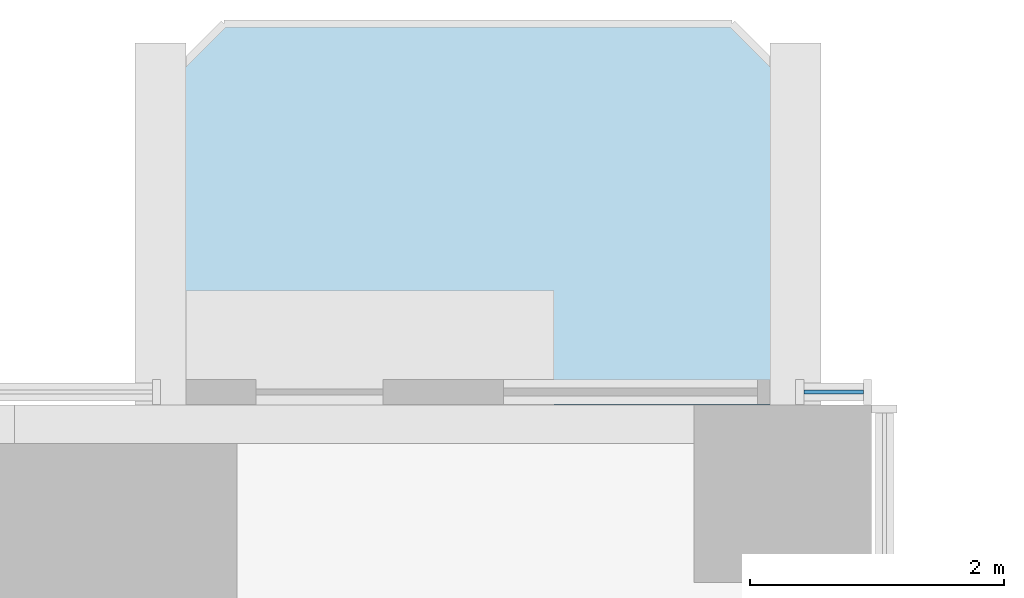
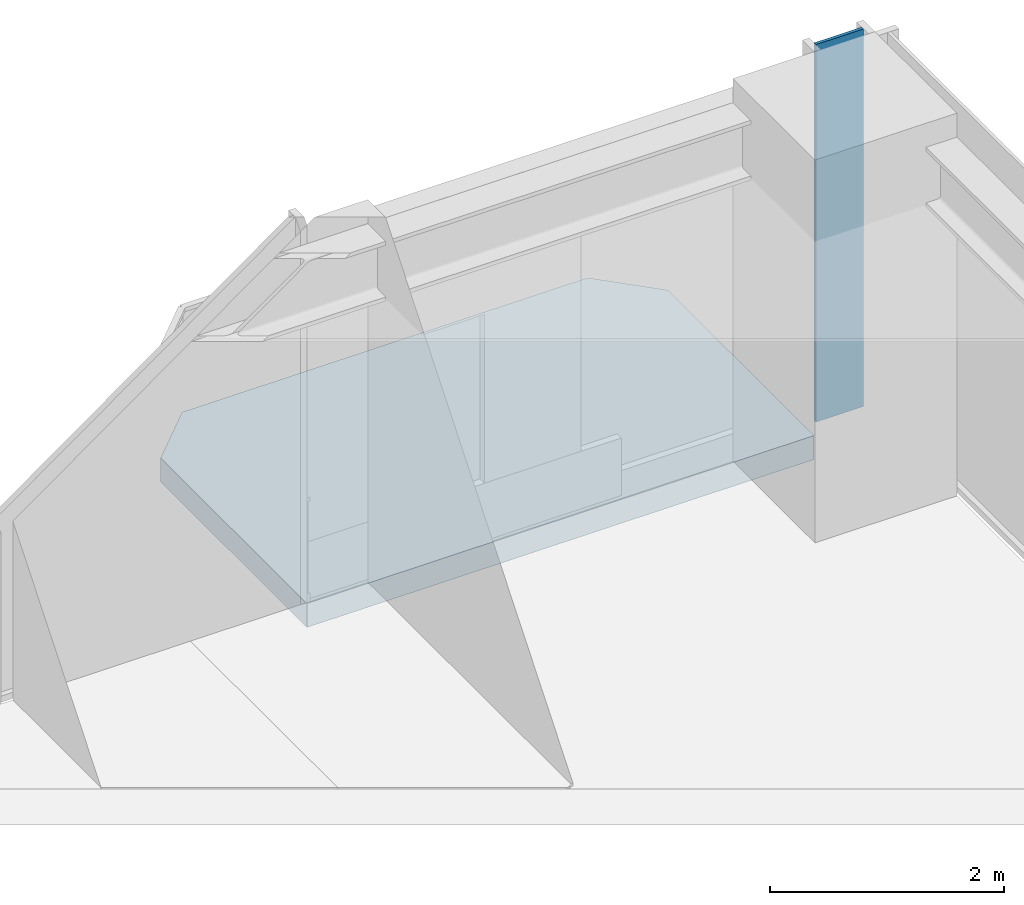
# One storey, part 10 of 18: 1 plate, 1 slab, 1 element without a shape of its own.
"""IFC4 building model written with IfcOpenShell, lengths in metres."""

import ifcopenshell
import ifcopenshell.guid

model = None  # the IFC model being written
_history = None  # IfcOwnerHistory: only IFC2X3 demands one
_inside = {}  # id of a spatial element -> (the spatial element, [elements in it])
_under = {}  # id of a project, library or spatial element -> (it, [spatial elements below it])
_declared = {}  # id of a project -> (the project, [libraries it declares])
_typed = {}  # id of a type object -> (the type object, [elements of that type])
_made_of = {}  # id of a material, layer set ... -> (it, [elements and type objects made of it])


def new_model(schema):
    """Start an empty IFC model of exactly this schema.

    Asked for "IFC4X3", IfcOpenShell would pick the latest addendum, in which some entities
    have other attributes; the version numbers below select the first issue.
    IFC2X3 requires an IfcOwnerHistory on every rooted entity: one is made here for all.
    """
    global model, _history
    if schema == "IFC4X3":
        model = ifcopenshell.file(schema_version=(4, 3, 0, 0))
    else:
        model = ifcopenshell.file(schema=schema)
    _inside.clear()
    _under.clear()
    _declared.clear()
    _typed.clear()
    _made_of.clear()
    _history = None
    if model.schema == "IFC2X3":
        org = make("IfcOrganization", Name="unknown")
        user = make(
            "IfcPersonAndOrganization",
            ThePerson=make("IfcPerson", FamilyName="unknown"),
            TheOrganization=org,
        )
        app = make(
            "IfcApplication",
            ApplicationDeveloper=org,
            Version="unknown",
            ApplicationFullName="unknown",
            ApplicationIdentifier="unknown",
        )
        _history = make(
            "IfcOwnerHistory",
            OwningUser=user,
            OwningApplication=app,
            ChangeAction="ADDED",
            CreationDate=0,
        )
    return model


def make(cls, **values):
    """One entity of the class cls with the attributes given. An attribute that is None is left unset."""
    return model.create_entity(
        cls, **{name: value for name, value in values.items() if value is not None}
    )


def rooted(cls, **values):
    """An entity with a GlobalId (a new one), such as an element, a storey or a relation."""
    return make(cls, GlobalId=ifcopenshell.guid.new(), OwnerHistory=_history, **values)


def si_unit(unit_type, name, prefix=None):
    """IfcSIUnit, for example si_unit("LENGTHUNIT", "METRE", prefix="MILLI")."""
    return make("IfcSIUnit", UnitType=unit_type, Prefix=prefix, Name=name)


def assignment(units):
    """IfcUnitAssignment: the units of a project."""
    return None if units is None else make("IfcUnitAssignment", Units=units)


def point(xyz):
    """IfcCartesianPoint."""
    return None if xyz is None else make("IfcCartesianPoint", Coordinates=xyz)


def direction(xyz):
    """IfcDirection."""
    return None if xyz is None else make("IfcDirection", DirectionRatios=xyz)


def frame(location, z_axis=None, x_axis=None):
    """IfcAxis2Placement3D, a coordinate frame: its origin and axes. An axis left out is left unset."""
    return make(
        "IfcAxis2Placement3D",
        Location=point(location),
        Axis=direction(z_axis),
        RefDirection=direction(x_axis),
    )


def frame_2d(location, x_axis=None):
    """IfcAxis2Placement2D, a coordinate frame in the plane: its origin and x axis."""
    return make(
        "IfcAxis2Placement2D", Location=point(location), RefDirection=direction(x_axis)
    )


def origin():
    """The frame at (0, 0, 0) with its axes left unset."""
    return frame((0.0, 0.0, 0.0))


def origin_2d():
    """The frame at (0, 0) in the plane with its x axis left unset."""
    return frame_2d((0.0, 0.0))


def place(relative_to, where):
    """IfcLocalPlacement: puts the frame where relative to a parent placement (None: the world)."""
    return make(
        "IfcLocalPlacement", PlacementRelTo=relative_to, RelativePlacement=where
    )


def context(
    kind, dimensions, precision=None, world=None, true_north=None, identifier=None
):
    """IfcGeometricRepresentationContext, for example the 3D "Model" context."""
    return make(
        "IfcGeometricRepresentationContext",
        ContextIdentifier=identifier,
        ContextType=kind,
        CoordinateSpaceDimension=dimensions,
        Precision=precision,
        WorldCoordinateSystem=world,
        TrueNorth=true_north,
    )


def subcontext(parent, identifier, kind, view, scale=None):
    """IfcGeometricRepresentationSubContext, for example "Body" below "Model"."""
    return make(
        "IfcGeometricRepresentationSubContext",
        ContextIdentifier=identifier,
        ContextType=kind,
        ParentContext=parent,
        TargetScale=scale,
        TargetView=view,
    )


def project(units=None, contexts=None):
    """IfcProject with its units and contexts."""
    return rooted(
        "IfcProject",
        Name="project",
        RepresentationContexts=contexts,
        UnitsInContext=assignment(units),
    )


def spatial(cls, under=None, at=None, **own):
    """A site, building, storey or space (cls), placed at a placement, below another one or the project."""
    s = rooted(cls, ObjectPlacement=at, **own)
    if under is not None:
        _under.setdefault(under.id(), (under, []))[1].append(s)
    return s


def polyline(points):
    """IfcPolyline through the points."""
    return make("IfcPolyline", Points=[point(p) for p in points])


def profile(cls, at=None, kind="AREA", **sizes):
    """A parametric profile (cls). Its sizes go by their IFC names, for example OverallWidth=200.0."""
    return make(cls, ProfileType=kind, Position=at, **sizes)


def rectangle(**sizes):
    """IfcRectangleProfileDef."""
    return profile("IfcRectangleProfileDef", **sizes)


def outline(outer, holes=None, kind="AREA"):
    """IfcArbitraryClosedProfileDef: a profile drawn as a closed curve; with holes, ...WithVoids."""
    if holes is None:
        return make("IfcArbitraryClosedProfileDef", ProfileType=kind, OuterCurve=outer)
    return make(
        "IfcArbitraryProfileDefWithVoids",
        ProfileType=kind,
        OuterCurve=outer,
        InnerCurves=holes,
    )


def extrude(swept, where, along, depth):
    """IfcExtrudedAreaSolid: the profile swept, set in the frame where, extruded along a direction by depth."""
    return make(
        "IfcExtrudedAreaSolid",
        SweptArea=swept,
        Position=where,
        ExtrudedDirection=direction(along),
        Depth=depth,
    )


def shape(context_of_items, identifier, shape_type, items):
    """IfcShapeRepresentation: the items that make up one representation, for example the "Body"."""
    return make(
        "IfcShapeRepresentation",
        ContextOfItems=context_of_items,
        RepresentationIdentifier=identifier,
        RepresentationType=shape_type,
        Items=items,
    )


def material(Name=None, Category=None):
    """IfcMaterial."""
    return make("IfcMaterial", Name=Name, Category=Category)


def layer(
    of_material, thickness, ventilated=None, Name=None, Category=None, Priority=None
):
    """IfcMaterialLayer: one layer of a wall or slab, of a material (None: an air gap)."""
    return make(
        "IfcMaterialLayer",
        Material=of_material,
        LayerThickness=thickness,
        IsVentilated=ventilated,
        Name=Name,
        Category=Category,
        Priority=Priority,
    )


def layer_set(layers, Name=None):
    """IfcMaterialLayerSet."""
    return make("IfcMaterialLayerSet", MaterialLayers=layers, LayerSetName=Name)


def made_of(thing, what):
    """Note that an element or type object is made of a material, layer set ...; save() writes the relation."""
    if what is not None:
        _made_of.setdefault(what.id(), (what, []))[1].append(thing)
    return thing


def type_object(cls, material=None, **own):
    """A type object (cls), such as IfcWallType, which elements share."""
    return made_of(rooted(cls, **own), material)


def element(
    cls,
    number,
    at=None,
    inside=None,
    cuts=None,
    type_object=None,
    material=None,
    context=None,
    identifier="Body",
    shape_type=None,
    held_by="IfcProductDefinitionShape",
    body=None,
    shapes=None,
    **own,
):
    """One element of the class cls, such as IfcWall. Its Tag is "e" and its number.

    at: its placement. inside: the storey or other place that contains it. cuts: it is an
    opening in that element (IfcRelVoidsElement). A single representation is given by context,
    identifier, shape_type and body (its items); several are given by shapes. held_by: the class
    of the entity that holds the representations. save() writes the other relations.
    """
    e = rooted(cls, Tag="e%d" % number, ObjectPlacement=at, **own)
    if body is not None:
        shapes = [shape(context, identifier, shape_type, body)]
    if shapes is not None:
        e.Representation = make(held_by, Representations=shapes)
    if inside is not None:
        _inside.setdefault(inside.id(), (inside, []))[1].append(e)
    if cuts is not None:
        rooted(
            "IfcRelVoidsElement", RelatingBuildingElement=cuts, RelatedOpeningElement=e
        )
    if type_object is not None:
        _typed.setdefault(type_object.id(), (type_object, []))[1].append(e)
    return made_of(e, material)


def aggregate(whole, parts):
    """IfcRelAggregates: a whole, such as a stair, and the parts it consists of."""
    return rooted("IfcRelAggregates", RelatingObject=whole, RelatedObjects=parts)


def save(model, path):
    """Write the relations noted so far, then the file.

    IfcRelAggregates (storeys below a building ...), IfcRelContainedInSpatialStructure (elements
    in a storey), IfcRelDefinesByType, IfcRelAssociatesMaterial and IfcRelDeclares: one each for
    every whole, place, type object, material and project.
    """
    for whole, parts in _under.values():
        aggregate(whole, parts)
    for where, things in _inside.values():
        rooted(
            "IfcRelContainedInSpatialStructure",
            RelatedElements=things,
            RelatingStructure=where,
        )
    for kind, things in _typed.values():
        rooted("IfcRelDefinesByType", RelatedObjects=things, RelatingType=kind)
    for what, things in _made_of.values():
        rooted("IfcRelAssociatesMaterial", RelatedObjects=things, RelatingMaterial=what)
    for by, libraries in _declared.values():
        rooted("IfcRelDeclares", RelatingContext=by, RelatedDefinitions=libraries)
    model.write(path)


model = new_model("IFC4")

# Units and contexts
model_context = context("Model", 3, precision=1e-05, world=origin(), true_north=direction((0.0, 1.0)))
body_context = subcontext(model_context, "Body", "Model", "MODEL_VIEW")
ifc_project = project(units=[si_unit("LENGTHUNIT", "METRE"), si_unit("AREAUNIT", "SQUARE_METRE"), si_unit("VOLUMEUNIT", "CUBIC_METRE"), si_unit("PLANEANGLEUNIT", "RADIAN"), si_unit("MASSUNIT", "GRAM", prefix="KILO")], contexts=[model_context])

# Site, building, storey
site_placement = place(None, origin())
site = spatial("IfcSite", under=ifc_project, at=site_placement, CompositionType="ELEMENT")
building_placement = place(site_placement, origin())
building = spatial("IfcBuilding", under=site, at=building_placement, Name="Svetlomir Tower", CompositionType="ELEMENT")
storey_placement = place(building_placement, frame((0.0, 0.0, 46.5)))
storey = spatial("IfcBuildingStorey", under=building, at=storey_placement, Name="L10", CompositionType="ELEMENT", Elevation=46.5)

# Slab
ifc_material_1 = material(Name="Concrete C60/75", Category="concrete")
ifc_layer_1 = layer(ifc_material_1, 0.25)
ifc_layer_set_1 = layer_set([ifc_layer_1], Name="Concrete C60/75")
slab_type = type_object("IfcSlabType", Name="BALCONY SLAB 250", PredefinedType="FLOOR", material=ifc_layer_set_1)
slab_placement = place(storey_placement, frame((0.0, 0.0, -0.25)))
element("IfcSlab", 1, at=slab_placement, inside=storey, type_object=slab_type, Name="L10 N planted balcony", PredefinedType="FLOOR", context=body_context, shape_type="SweptSolid", body=[
    extrude(outline(polyline([(30.39990234375, 42.0), (35.39990234375, 42.0), (35.39990234375, 44.5), (34.89990234375, 45.0), (30.89990234375, 45.0), (30.39990234375, 44.5), (30.39990234375, 42.0)])), origin(), (0.0, 0.0, 1.0), 0.25),
])

# Curtain wall, plate
ifc_material_2 = material(Name="Bronze anodised aluminium curtain wall", Category="aluminium")
curtain_wall_type = type_object("IfcCurtainWallType", Name="CURTAIN WALL CW1 TOWER OFFICE", PredefinedType="NOTDEFINED", material=ifc_material_2)
curtain_wall_placement = place(storey_placement, origin())
curtain_wall = element("IfcCurtainWall", 2, at=curtain_wall_placement, inside=storey, type_object=curtain_wall_type, Name="Curtain wall CW1 L10", PredefinedType="NOTDEFINED")
ifc_material_3 = material(Name="Tinted double glazed unit", Category="glass")
ifc_layer_2 = layer(ifc_material_3, 0.031982421875)
ifc_layer_set_2 = layer_set([ifc_layer_2], Name="Tinted double glazed unit")
plate_type = type_object("IfcPlateType", Name="CW1 GLAZED PANEL 32", PredefinedType="CURTAIN_PANEL", material=ifc_layer_set_2)
plate_placement = place(storey_placement, frame((35.699951171875, 42.10009765625, 0.06494140625), z_axis=(0.0, 0.0, 1.0), x_axis=(-1.0, 0.0, 0.0)))
plate = element("IfcPlate", 3, at=plate_placement, type_object=plate_type, Name="CW1 panel 1.1", PredefinedType="CURTAIN_PANEL", context=body_context, shape_type="SweptSolid", body=[
    extrude(rectangle(XDim=0.469970703125, YDim=0.031982421875, at=origin_2d()), origin(), (0.0, 0.0, 1.0), 3.93505859375),
])
aggregate(curtain_wall, [plate])

save(model, "model.ifc")
